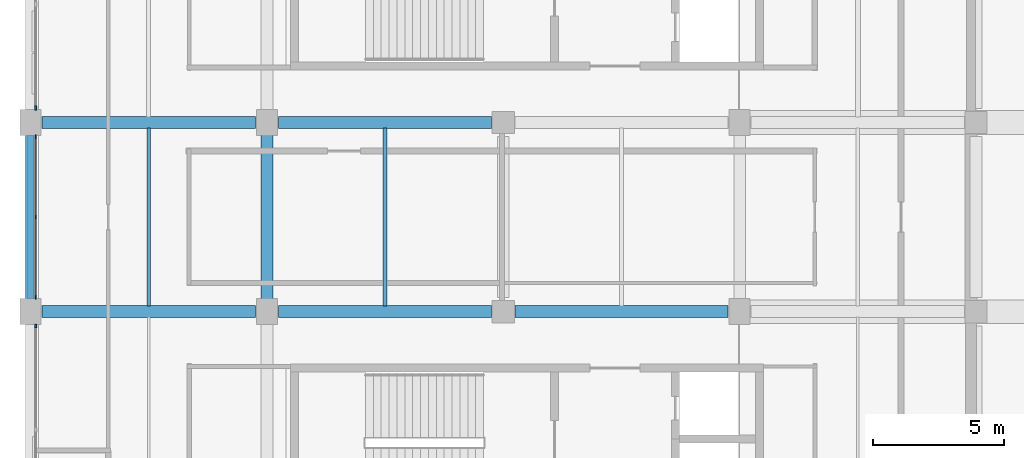
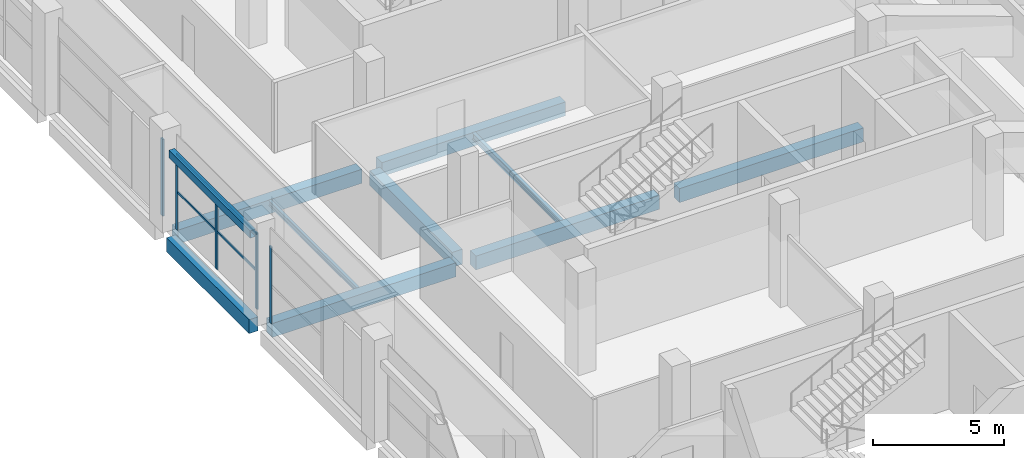
# One storey, part 25 of 66: 9 beams, 8 members, 3 elements without a shape of their own.
"""IFC4 building model written with IfcOpenShell, lengths in metres."""

from ifc_helpers import new_model, si_unit, direction, frame, origin, origin_2d, place, context, subcontext, project, spatial, rectangle, hollow_rectangle, i_section, extrude, material, material_profile, profile_set, type_object, element, aggregate, save


model = new_model("IFC4")

# Units and contexts
model_context = context("Model", 3, precision=1e-05, world=origin(), true_north=direction((0.0, 1.0)))
body_context = subcontext(model_context, "Body", "Model", "MODEL_VIEW")
ifc_project = project(units=[si_unit("LENGTHUNIT", "METRE"), si_unit("AREAUNIT", "SQUARE_METRE"), si_unit("VOLUMEUNIT", "CUBIC_METRE"), si_unit("PLANEANGLEUNIT", "RADIAN"), si_unit("MASSUNIT", "GRAM", prefix="KILO"), si_unit("THERMODYNAMICTEMPERATUREUNIT", "KELVIN"), si_unit("POWERUNIT", "WATT")], contexts=[model_context])

# Site, building, storey
site_placement = place(None, origin())
site = spatial("IfcSite", under=ifc_project, at=site_placement, CompositionType="ELEMENT")
building_placement = place(site_placement, origin())
building = spatial("IfcBuilding", under=site, at=building_placement, Name="Sindhuravela Promenade Stadium", CompositionType="ELEMENT")
storey_placement = place(building_placement, frame((0.0, 0.0, 19.199951171875)))
storey = spatial("IfcBuildingStorey", under=building, at=storey_placement, Name="L04", CompositionType="ELEMENT", Elevation=19.199951171875)

# Curtain wall, member
ifc_material_1 = material(Name="Anodised architectural aluminium 6063-T6", Category="aluminium")
curtain_wall_type_1 = type_object("IfcCurtainWallType", Name="CW-MOD-7", PredefinedType="NOTDEFINED", material=ifc_material_1)
curtain_wall_1_placement = place(storey_placement, origin())
curtain_wall_1 = element("IfcCurtainWall", 1, at=curtain_wall_1_placement, inside=storey, type_object=curtain_wall_type_1, Name="Bronze curtain wall CW-WEST-L04-054", PredefinedType="NOTDEFINED")
ifc_material_profile_1 = material_profile(ifc_material_1, rectangle(XDim=0.074951171875, YDim=0.175048828125, at=origin_2d()), Name="ALU MULL 75x175")
ifc_profile_set_1 = profile_set([ifc_material_profile_1], Name="Anodised architectural aluminium 6063-T6")
member_type_1 = type_object("IfcMemberType", Name="CW-MUL-1", PredefinedType="MULLION", material=ifc_profile_set_1)
member_1_placement = place(storey_placement, frame((0.199951171875, 85.14990234375, 0.0), z_axis=(0.0, 0.0, 1.0), x_axis=(1.0, 0.0, 0.0)))
member_1 = element("IfcMember", 2, at=member_1_placement, type_object=member_type_1, Name="Curtain wall mullion CW-WEST-L04-054-M1", PredefinedType="MULLION", context=body_context, shape_type="SweptSolid", body=[
    extrude(rectangle(XDim=0.074951171875, YDim=0.175048828125, at=origin_2d()), origin(), (0.0, 0.0, 1.0), 3.580078125),
])
aggregate(curtain_wall_1, [member_1])

curtain_wall_type_2 = type_object("IfcCurtainWallType", Name="CW-MOD-5", PredefinedType="NOTDEFINED", material=ifc_material_1)
curtain_wall_2_placement = place(storey_placement, origin())
curtain_wall_2 = element("IfcCurtainWall", 3, at=curtain_wall_2_placement, inside=storey, type_object=curtain_wall_type_2, Name="Bronze curtain wall CW-WEST-L04-052", PredefinedType="NOTDEFINED")
ifc_material_profile_2 = material_profile(ifc_material_1, rectangle(XDim=0.06005859375, YDim=0.139892578125, at=origin_2d()), Name="ALU M60x140")
ifc_profile_set_2 = profile_set([ifc_material_profile_2], Name="Anodised architectural aluminium 6063-T6")
member_type_2 = type_object("IfcMemberType", Name="CW-MUL-5", PredefinedType="MULLION", material=ifc_profile_set_2)
member_2_placement = place(storey_placement, frame((0.199951171875, 76.85009765625, 0.0), z_axis=(0.0, 0.0, 1.0), x_axis=(1.0, 0.0, 0.0)))
member_2 = element("IfcMember", 4, at=member_2_placement, type_object=member_type_2, Name="Curtain wall mullion CW-WEST-L04-052-M3", PredefinedType="MULLION", context=body_context, shape_type="SweptSolid", body=[
    extrude(rectangle(XDim=0.06005859375, YDim=0.139892578125, at=origin_2d()), origin(), (0.0, 0.0, 1.0), 3.580078125),
])
aggregate(curtain_wall_2, [member_2])

# Curtain wall, members
curtain_wall_type_3 = type_object("IfcCurtainWallType", Name="CW-MOD-6", PredefinedType="NOTDEFINED", material=ifc_material_1)
curtain_wall_3_placement = place(storey_placement, origin())
curtain_wall_3 = element("IfcCurtainWall", 5, at=curtain_wall_3_placement, inside=storey, type_object=curtain_wall_type_3, Name="Bronze curtain wall CW-WEST-L04-053", PredefinedType="NOTDEFINED")
ifc_material_profile_3 = material_profile(ifc_material_1, rectangle(XDim=0.054931640625, YDim=0.14990234375, at=origin_2d()), Name="ALU M55x150")
ifc_profile_set_3 = profile_set([ifc_material_profile_3], Name="Anodised architectural aluminium 6063-T6")
member_type_3 = type_object("IfcMemberType", Name="CW-MUL-6", PredefinedType="MULLION", material=ifc_profile_set_3)
member_3_placement = place(storey_placement, frame((0.199951171875, 77.949951171875, 0.0), z_axis=(0.0, 0.0, 1.0), x_axis=(1.0, 0.0, 0.0)))
member_3 = element("IfcMember", 6, at=member_3_placement, type_object=member_type_3, Name="Curtain wall mullion CW-WEST-L04-053-M1", PredefinedType="MULLION", context=body_context, shape_type="SweptSolid", body=[
    extrude(rectangle(XDim=0.054931640625, YDim=0.14990234375, at=origin_2d()), origin(), (0.0, 0.0, 1.0), 3.580078125),
])
member_4_placement = place(storey_placement, frame((0.199951171875, 81.0, 0.0), z_axis=(0.0, 0.0, 1.0), x_axis=(1.0, 0.0, 0.0)))
member_4 = element("IfcMember", 7, at=member_4_placement, type_object=member_type_3, Name="Curtain wall mullion CW-WEST-L04-053-M2", PredefinedType="MULLION", context=body_context, shape_type="SweptSolid", body=[
    extrude(rectangle(XDim=0.054931640625, YDim=0.14990234375, at=origin_2d()), origin(), (0.0, 0.0, 1.0), 3.580078125),
])
member_5_placement = place(storey_placement, frame((0.199951171875, 84.050048828125, 0.0), z_axis=(0.0, 0.0, 1.0), x_axis=(1.0, 0.0, 0.0)))
member_5 = element("IfcMember", 8, at=member_5_placement, type_object=member_type_3, Name="Curtain wall mullion CW-WEST-L04-053-M3", PredefinedType="MULLION", context=body_context, shape_type="SweptSolid", body=[
    extrude(rectangle(XDim=0.054931640625, YDim=0.14990234375, at=origin_2d()), origin(), (0.0, 0.0, 1.0), 3.580078125),
])
ifc_material_profile_4 = material_profile(ifc_material_1, rectangle(XDim=0.054931640625, YDim=0.10498046875, at=origin_2d()), Name="ALU T55x105")
ifc_profile_set_4 = profile_set([ifc_material_profile_4], Name="Anodised architectural aluminium 6063-T6")
member_type_4 = type_object("IfcMemberType", Name="CW-TRN-6", PredefinedType="USERDEFINED", material=ifc_profile_set_4)
member_6_placement = place(storey_placement, frame((0.199951171875, 77.925048828125, 1.7900390625), z_axis=(0.0, 1.0, 0.0), x_axis=(-1.0, 0.0, 0.0)))
member_6 = element("IfcMember", 9, at=member_6_placement, type_object=member_type_4, Name="Curtain wall transom CW-WEST-L04-053-T1", ObjectType="TRANSOM", PredefinedType="USERDEFINED", context=body_context, shape_type="SweptSolid", body=[
    extrude(rectangle(XDim=0.054931640625, YDim=0.10498046875, at=origin_2d()), origin(), (0.0, 0.0, 1.0), 6.14990234375),
])
member_7_placement = place(storey_placement, frame((0.199951171875, 77.925048828125, 3.5), z_axis=(0.0, 1.0, 0.0), x_axis=(-1.0, 0.0, 0.0)))
member_7 = element("IfcMember", 10, at=member_7_placement, type_object=member_type_4, Name="Curtain wall transom CW-WEST-L04-053-T2", ObjectType="TRANSOM", PredefinedType="USERDEFINED", context=body_context, shape_type="SweptSolid", body=[
    extrude(rectangle(XDim=0.054931640625, YDim=0.10498046875, at=origin_2d()), origin(), (0.0, 0.0, 1.0), 6.14990234375),
])
aggregate(curtain_wall_3, [member_3, member_4, member_5, member_6, member_7])

# Beams
ifc_material_2 = material(Name="Concrete M40", Category="concrete")
ifc_material_profile_5 = material_profile(ifc_material_2, rectangle(XDim=0.39990234375, YDim=0.64990234375, at=origin_2d()), Name="RC 400x650")
ifc_profile_set_5 = profile_set([ifc_material_profile_5], Name="Concrete M40")
beam_type_1 = type_object("IfcBeamType", Name="RC-BM-400x650", PredefinedType="SPANDREL", material=ifc_profile_set_5)
beam_1_placement = place(storey_placement, frame((0.0, 77.840087890625, -0.64501953125), z_axis=(0.0, 1.0, 0.0), x_axis=(-1.0, 0.0, 0.0)))
element("IfcBeam", 11, at=beam_1_placement, inside=storey, type_object=beam_type_1, Name="Primary beam SP01 WEST L04", PredefinedType="SPANDREL", context=body_context, shape_type="SweptSolid", body=[
    extrude(rectangle(XDim=0.39990234375, YDim=0.64990234375, at=origin_2d()), origin(), (0.0, 0.0, 1.0), 6.31982421875),
])
ifc_material_profile_6 = material_profile(ifc_material_2, rectangle(XDim=0.449951171875, YDim=0.64990234375, at=origin_2d()), Name="RC 450x650")
ifc_profile_set_6 = profile_set([ifc_material_profile_6], Name="Concrete M40")
beam_type_2 = type_object("IfcBeamType", Name="RC-BM-450x650", PredefinedType="T_BEAM", material=ifc_profile_set_6)
for number, where, z_axis, x_axis, name in (
    (12, (0.43994140625, 77.39990234375, -0.64501953125), (1.0, 0.0, 0.0), (0.0, 1.0, 0.0), "Primary girder GB08 WEST L04"),
    (13, (9.43994140625, 77.39990234375, -0.64501953125), (1.0, 0.0, 0.0), (0.0, 1.0, 0.0), "Primary girder GB08 WEST L04"),
    (14, (18.43994140625, 77.39990234375, -0.64501953125), (1.0, 0.0, 0.0), (0.0, 1.0, 0.0), "Primary girder GB08 WEST L04"),
    (15, (0.43994140625, 84.60009765625, -0.64501953125), (1.0, 0.0, 0.0), (0.0, 1.0, 0.0), "Primary girder GB08 WEST L04"),
    (16, (9.43994140625, 84.60009765625, -0.64501953125), (1.0, 0.0, 0.0), (0.0, 1.0, 0.0), "Primary girder GB08 WEST L04"),
):
    element("IfcBeam", number, at=place(storey_placement, frame(where, z_axis=z_axis, x_axis=x_axis)), inside=storey, type_object=beam_type_2, Name=name, PredefinedType="T_BEAM", context=body_context, shape_type="SweptSolid", body=[
        extrude(rectangle(XDim=0.449951171875, YDim=0.64990234375, at=origin_2d()), origin(), (0.0, 0.0, 1.0), 8.1201171875),
    ])
ifc_material_profile_7 = material_profile(ifc_material_2, rectangle(XDim=0.449951171875, YDim=0.699951171875, at=origin_2d()), Name="RC 450x700")
ifc_profile_set_7 = profile_set([ifc_material_profile_7], Name="Concrete M40")
beam_type_3 = type_object("IfcBeamType", Name="RC-BM-450x700", PredefinedType="BEAM", material=ifc_profile_set_7)
beam_2_placement = place(storey_placement, frame((9.0, 77.840087890625, -0.669921875), z_axis=(0.0, 1.0, 0.0), x_axis=(-1.0, 0.0, 0.0)))
element("IfcBeam", 17, at=beam_2_placement, inside=storey, type_object=beam_type_3, Name="Primary beam GB07 WEST L04", PredefinedType="BEAM", context=body_context, shape_type="SweptSolid", body=[
    extrude(rectangle(XDim=0.449951171875, YDim=0.699951171875, at=origin_2d()), origin(), (0.0, 0.0, 1.0), 6.31982421875),
])
ifc_material_3 = material(Name="Steel E350 (IS 2062 E350BR)", Category="steel")
ifc_material_profile_8 = material_profile(ifc_material_3, i_section(OverallWidth=0.125, OverallDepth=0.25, WebThickness=0.0068359375, FlangeThickness=0.012451171875, FilletRadius=0.012939453125, at=origin_2d()), Name="ISMB 250")
ifc_profile_set_8 = profile_set([ifc_material_profile_8], Name="Steel E350 (IS 2062 E350BR)")
beam_type_4 = type_object("IfcBeamType", Name="ST-BM-MB250", PredefinedType="JOIST", material=ifc_profile_set_8)
beam_3_placement = place(storey_placement, frame((4.5, 77.614990234375, -0.445068359375), z_axis=(0.0, 1.0, 0.0), x_axis=(-1.0, 0.0, 0.0)))
element("IfcBeam", 18, at=beam_3_placement, inside=storey, type_object=beam_type_4, Name="Secondary floor joist SB02 WEST L04", PredefinedType="JOIST", context=body_context, shape_type="SweptSolid", body=[
    extrude(i_section(OverallWidth=0.125, OverallDepth=0.25, WebThickness=0.0068359375, FlangeThickness=0.012451171875, FilletRadius=0.012939453125, at=origin_2d()), origin(), (0.0, 0.0, 1.0), 6.77001953125),
])
ifc_material_profile_9 = material_profile(ifc_material_3, i_section(OverallWidth=0.139892578125, OverallDepth=0.300048828125, WebThickness=0.0078125, FlangeThickness=0.01318359375, FilletRadius=0.013916015625, at=origin_2d()), Name="ISMB 300")
ifc_profile_set_9 = profile_set([ifc_material_profile_9], Name="Steel E350 (IS 2062 E350BR)")
beam_type_5 = type_object("IfcBeamType", Name="ST-BM-MB300", PredefinedType="JOIST", material=ifc_profile_set_9)
beam_4_placement = place(storey_placement, frame((13.5, 77.614990234375, -0.469970703125), z_axis=(0.0, 1.0, 0.0), x_axis=(-1.0, 0.0, 0.0)))
element("IfcBeam", 19, at=beam_4_placement, inside=storey, type_object=beam_type_5, Name="Secondary floor joist SB03 WEST L04", PredefinedType="JOIST", context=body_context, shape_type="SweptSolid", body=[
    extrude(i_section(OverallWidth=0.139892578125, OverallDepth=0.300048828125, WebThickness=0.0078125, FlangeThickness=0.01318359375, FilletRadius=0.013916015625, at=origin_2d()), origin(), (0.0, 0.0, 1.0), 6.77001953125),
])

# Member
ifc_material_profile_10 = material_profile(ifc_material_3, hollow_rectangle(XDim=0.25, YDim=0.35009765625, WallThickness=0.011962890625, at=origin_2d()), Name="RHS 350x250x12")
ifc_profile_set_10 = profile_set([ifc_material_profile_10], Name="Steel E350 (IS 2062 E350BR)")
member_type_5 = type_object("IfcMemberType", Name="ST-MB-RHS350", PredefinedType="CHORD", material=ifc_profile_set_10)
member_8_placement = place(storey_placement, frame((0.0, 77.89208984375, 3.60009765625), z_axis=(0.0, 1.0, 0.0), x_axis=(-1.0, 0.0, 0.0)))
element("IfcMember", 20, at=member_8_placement, inside=storey, type_object=member_type_5, Name="Portal tie member MC02-15", PredefinedType="CHORD", context=body_context, shape_type="SweptSolid", body=[
    extrude(hollow_rectangle(XDim=0.25, YDim=0.35009765625, WallThickness=0.011962890625, at=origin_2d()), origin(), (0.0, 0.0, 1.0), 6.2158203125),
])

save(model, "model.ifc")
